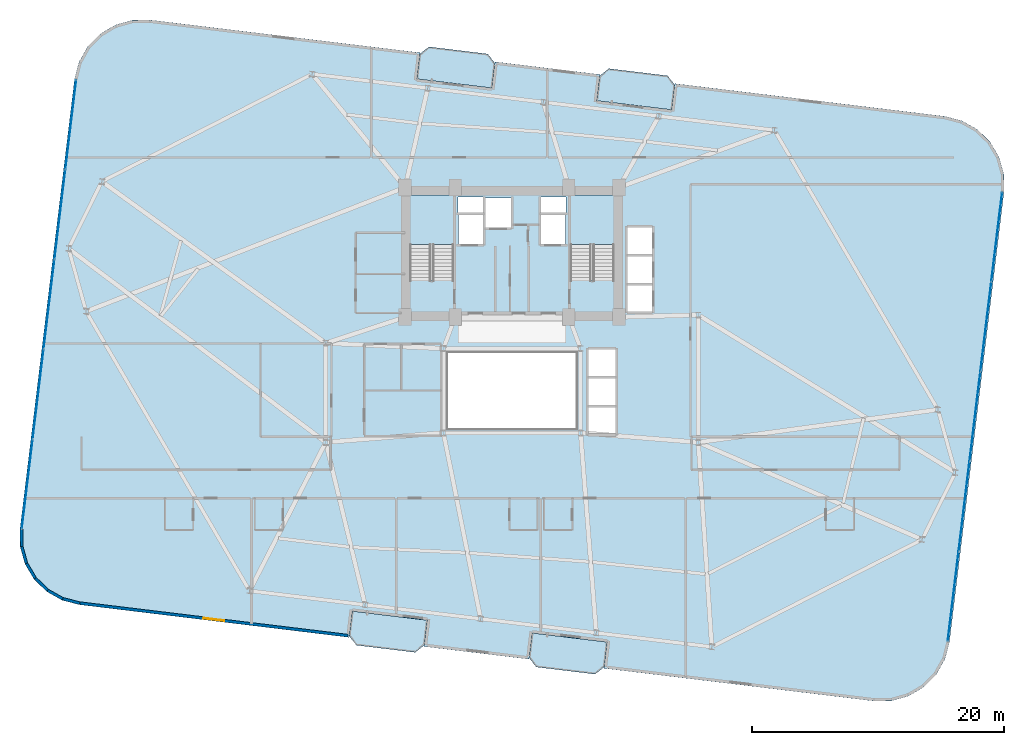
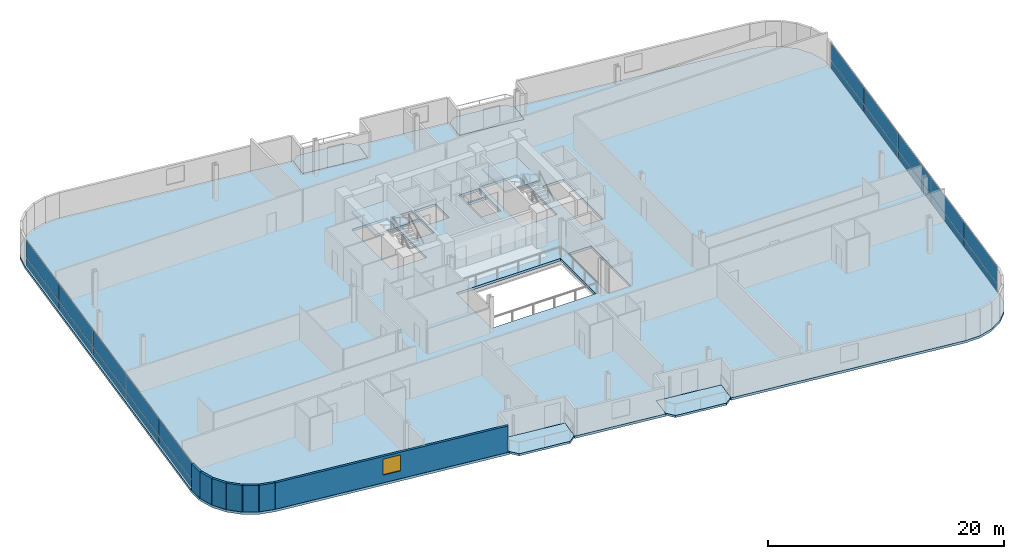
# One storey, part 19 of 25: 20 plates, 7 slabs, 7 walls, 1 window, 1 opening, 4 elements without a shape of their own.
"""IFC4 building model written with IfcOpenShell, lengths in metres."""

from ifc_helpers import new_model, si_unit, direction, frame, frame_2d, origin, origin_2d, place, context, subcontext, project, spatial, polyline, rectangle, outline, extrude, source, transform, mapped, material, layer, layer_set, type_object, element, fill, aggregate, save


model = new_model("IFC4")

# Units and contexts
model_context = context("Model", 3, precision=1e-05, world=origin(), true_north=direction((0.0, 1.0)))
body_context = subcontext(model_context, "Body", "Model", "MODEL_VIEW")
ifc_project = project(units=[si_unit("LENGTHUNIT", "METRE"), si_unit("AREAUNIT", "SQUARE_METRE"), si_unit("VOLUMEUNIT", "CUBIC_METRE"), si_unit("PLANEANGLEUNIT", "RADIAN"), si_unit("MASSUNIT", "GRAM", prefix="KILO")], contexts=[model_context])

# Site, building, storey
site_placement = place(None, origin())
site = spatial("IfcSite", under=ifc_project, at=site_placement, CompositionType="ELEMENT")
building_placement = place(site_placement, origin())
building = spatial("IfcBuilding", under=site, at=building_placement, Name="Varnelok Gate Tower", CompositionType="ELEMENT")
storey_placement = place(building_placement, frame((0.0, 0.0, 140.199951171875)))
storey = spatial("IfcBuildingStorey", under=building, at=storey_placement, Name="L35", CompositionType="ELEMENT", Elevation=140.199951171875)

# Slabs
ifc_material_1 = material(Name="Concrete C45/55", Category="concrete")
ifc_layer_1 = layer(ifc_material_1, 0.219970703125)
ifc_layer_set_1 = layer_set([ifc_layer_1], Name="Concrete C45/55")
slab_type_1 = type_object("IfcSlabType", Name="SLB-BALC-220", PredefinedType="FLOOR", material=ifc_layer_set_1)
slab_1_placement = place(storey_placement, frame((0.0, 0.0, -0.219970703125)))
element("IfcSlab", 1, at=slab_1_placement, inside=storey, type_object=slab_type_1, Name="L35 South Hollow Balcony 1", PredefinedType="FLOOR", context=body_context, shape_type="SweptSolid", body=[
    extrude(outline(polyline([(26.27001953125, 3.39697265625), (26.837158203125, 2.67333984375), (31.5029296875, 2.107666015625), (32.2265625, 2.6748046875), (32.46728515625, 4.660400390625), (26.5107421875, 5.38232421875), (26.27001953125, 3.39697265625)])), origin(), (0.0, 0.0, 1.0), 0.219970703125),
])
slab_2_placement = place(storey_placement, frame((0.0, 0.0, -0.219970703125)))
element("IfcSlab", 2, at=slab_2_placement, inside=storey, type_object=slab_type_1, Name="L35 South Hollow Balcony 2", PredefinedType="FLOOR", context=body_context, shape_type="SweptSolid", body=[
    extrude(outline(polyline([(40.5654296875, 1.663818359375), (41.132568359375, 0.9404296875), (45.79833984375, 0.374755859375), (46.521728515625, 0.94189453125), (46.762451171875, 2.92724609375), (40.80615234375, 3.6494140625), (40.5654296875, 1.663818359375)])), origin(), (0.0, 0.0, 1.0), 0.219970703125),
])
slab_3_placement = place(storey_placement, frame((0.0, 0.0, -0.219970703125)))
element("IfcSlab", 3, at=slab_3_placement, inside=storey, type_object=slab_type_1, Name="L35 North Hollow Balcony 1", PredefinedType="FLOOR", context=body_context, shape_type="SweptSolid", body=[
    extrude(outline(polyline([(31.637451171875, 47.672607421875), (37.593994140625, 46.95068359375), (37.834716796875, 48.93603515625), (37.267578125, 49.65966796875), (32.601806640625, 50.22509765625), (31.878173828125, 49.658203125), (31.637451171875, 47.672607421875)])), origin(), (0.0, 0.0, 1.0), 0.219970703125),
])
slab_4_placement = place(storey_placement, frame((0.0, 0.0, -0.219970703125)))
element("IfcSlab", 4, at=slab_4_placement, inside=storey, type_object=slab_type_1, Name="L35 North Hollow Balcony 2", PredefinedType="FLOOR", context=body_context, shape_type="SweptSolid", body=[
    extrude(outline(polyline([(45.932861328125, 45.939697265625), (51.88916015625, 45.2177734375), (52.1298828125, 47.203125), (51.562744140625, 47.926513671875), (46.89697265625, 48.4921875), (46.173583984375, 47.92529296875), (45.932861328125, 45.939697265625)])), origin(), (0.0, 0.0, 1.0), 0.219970703125),
])

# Stair, slab
ifc_material_2 = material(Name="Concrete C50/60", Category="concrete")
stair_type = type_object("IfcStairType", Name="STR-CORE-1650", PredefinedType="HALF_TURN_STAIR", material=ifc_material_2)
stair_1_placement = place(storey_placement, origin())
stair_1 = element("IfcStair", 5, at=stair_1_placement, inside=storey, type_object=stair_type, Name="L35 Exit Stair ST-1", PredefinedType="HALF_TURN_STAIR")
ifc_layer_2 = layer(ifc_material_1, 0.199951171875)
ifc_layer_set_2 = layer_set([ifc_layer_2], Name="Concrete C45/55")
slab_type_2 = type_object("IfcSlabType", Name="SLB-LAND-200", PredefinedType="LANDING", material=ifc_layer_set_2)
slab_5_placement = place(storey_placement, frame((0.0, 0.0, 1.650146484375)))
slab_5 = element("IfcSlab", 6, at=slab_5_placement, type_object=slab_type_2, Name="ST-1 landing 1", PredefinedType="LANDING", context=body_context, shape_type="SweptSolid", body=[
    extrude(outline(polyline([(34.550048828125, 34.5), (34.550048828125, 38.449951171875), (31.10009765625, 38.449951171875), (31.10009765625, 34.5), (34.550048828125, 34.5)])), origin(), (0.0, 0.0, 1.0), 0.199951171875),
])
aggregate(stair_1, [slab_5])

stair_2_placement = place(storey_placement, origin())
stair_2 = element("IfcStair", 7, at=stair_2_placement, inside=storey, type_object=stair_type, Name="L35 Exit Stair ST-2", PredefinedType="HALF_TURN_STAIR")
slab_6_placement = place(storey_placement, frame((0.0, 0.0, 1.650146484375)))
slab_6 = element("IfcSlab", 8, at=slab_6_placement, type_object=slab_type_2, Name="ST-2 landing 1", PredefinedType="LANDING", context=body_context, shape_type="SweptSolid", body=[
    extrude(outline(polyline([(47.300048828125, 34.5), (47.300048828125, 38.449951171875), (43.85009765625, 38.449951171875), (43.85009765625, 34.5), (47.300048828125, 34.5)])), origin(), (0.0, 0.0, 1.0), 0.199951171875),
])
aggregate(stair_2, [slab_6])

# Slab
ifc_layer_3 = layer(ifc_material_2, 0.25)
ifc_layer_set_3 = layer_set([ifc_layer_3], Name="Concrete C50/60")
slab_type_3 = type_object("IfcSlabType", Name="SLB-TYP-250", PredefinedType="FLOOR", material=ifc_layer_set_3)
slab_7_placement = place(storey_placement, frame((0.0, 0.0, -0.25)))
element("IfcSlab", 9, at=slab_7_placement, inside=storey, type_object=slab_type_3, Name="L35 Structural Floor Slab", PredefinedType="FLOOR", context=body_context, shape_type="SweptSolid", body=[
    extrude(outline(polyline([(0.104248046875, 11.90771484375), (0.11865234375, 10.498046875), (0.49755859375, 9.14013671875), (1.214599609375, 7.9267578125), (2.2216796875, 6.940185546875), (3.44970703125, 6.247802734375), (4.81494140625, 5.89697265625), (16.529296875, 4.47705078125), (26.258056640625, 3.297607421875), (26.5107421875, 5.38232421875), (32.46728515625, 4.660400390625), (32.214599609375, 2.575439453125), (40.553466796875, 1.564697265625), (40.80615234375, 3.6494140625), (46.762451171875, 2.92724609375), (46.509765625, 0.842529296875), (56.238525390625, -0.3369140625), (67.952880859375, -1.7568359375), (69.3623046875, -1.742431640625), (70.72021484375, -1.363525390625), (71.933837890625, -0.646240234375), (72.92041015625, 0.360595703125), (73.612548828125, 1.588623046875), (73.96337890625, 2.9541015625), (78.2958984375, 38.6923828125), (78.281494140625, 40.101806640625), (77.902587890625, 41.459716796875), (77.185302734375, 42.67333984375), (76.17822265625, 43.659912109375), (74.9501953125, 44.35205078125), (73.5849609375, 44.702880859375), (61.87060546875, 46.123046875), (52.141845703125, 47.302490234375), (51.88916015625, 45.2177734375), (45.932861328125, 45.939697265625), (46.185546875, 48.0244140625), (37.8466796875, 49.035400390625), (37.593994140625, 46.95068359375), (31.637451171875, 47.672607421875), (31.89013671875, 49.75732421875), (22.161376953125, 50.936767578125), (10.447265625, 52.35693359375), (9.03759765625, 52.34228515625), (7.6796875, 51.963623046875), (6.46630859375, 51.246337890625), (5.479736328125, 50.2392578125), (4.787353515625, 49.01123046875), (4.4365234375, 47.64599609375), (0.104248046875, 11.90771484375)]), holes=[polyline([(34.550048828125, 31.679931640625), (34.550048828125, 38.449951171875), (31.10009765625, 38.449951171875), (31.10009765625, 31.679931640625), (34.550048828125, 31.679931640625)]), polyline([(47.300048828125, 31.679931640625), (47.300048828125, 38.449951171875), (43.85009765625, 38.449951171875), (43.85009765625, 31.679931640625), (47.300048828125, 31.679931640625)]), polyline([(34.949951171875, 34.550048828125), (36.89990234375, 34.550048828125), (36.89990234375, 36.89990234375), (34.949951171875, 36.89990234375), (34.949951171875, 34.550048828125)]), polyline([(41.5, 34.550048828125), (43.449951171875, 34.550048828125), (43.449951171875, 36.89990234375), (41.5, 36.89990234375), (41.5, 34.550048828125)]), polyline([(37.050048828125, 35.85009765625), (39.14990234375, 35.85009765625), (39.14990234375, 38.199951171875), (37.050048828125, 38.199951171875), (37.050048828125, 35.85009765625)]), polyline([(48.35009765625, 29.14990234375), (50.35009765625, 29.14990234375), (50.35009765625, 35.89990234375), (48.35009765625, 35.89990234375), (48.35009765625, 29.14990234375)]), polyline([(45.25, 19.449951171875), (47.449951171875, 19.449951171875), (47.449951171875, 26.199951171875), (45.25, 26.199951171875), (45.25, 19.449951171875)]), polyline([(34.919921875, 37.080078125), (36.89990234375, 37.080078125), (36.89990234375, 38.280029296875), (34.919921875, 38.280029296875), (34.919921875, 37.080078125)]), polyline([(41.5, 37.080078125), (43.47998046875, 37.080078125), (43.47998046875, 38.280029296875), (41.5, 38.280029296875), (41.5, 37.080078125)]), polyline([(34.10009765625, 19.89990234375), (44.300048828125, 19.89990234375), (44.300048828125, 25.89990234375), (34.10009765625, 25.89990234375), (34.10009765625, 19.89990234375)])]), origin(), (0.0, 0.0, 1.0), 0.25),
])

# Curtain wall, plates
ifc_material_3 = material(Name="Anodized Aluminum Alloy 6063-T6", Category="aluminium")
ifc_layer_4 = layer(ifc_material_3, 0.179931640625)
ifc_layer_set_4 = layer_set([ifc_layer_4], Name="Anodized Aluminum Alloy 6063-T6")
curtain_wall_type = type_object("IfcCurtainWallType", Name="CW3-HOTEL-VISION", PredefinedType="USERDEFINED", material=ifc_layer_set_4)
curtain_wall_1_placement = place(storey_placement, origin())
curtain_wall_1 = element("IfcCurtainWall", 10, at=curtain_wall_1_placement, inside=storey, type_object=curtain_wall_type, Name="L35 West End Vision Curtain Wall", ObjectType="UNITISED CURTAIN WALL", PredefinedType="USERDEFINED")
ifc_material_4 = material(Name="Low-E Laminated Double Glazing IGU", Category="glass")
ifc_layer_5 = layer(ifc_material_4, 0.031982421875)
ifc_layer_set_5 = layer_set([ifc_layer_5], Name="Low-E Laminated Double Glazing IGU")
plate_type = type_object("IfcPlateType", Name="CW-PNL-IGU32", PredefinedType="CURTAIN_PANEL", material=ifc_layer_set_5)
shared_shape_1 = source(origin(), body_context, "Body", "SweptSolid", [
    extrude(rectangle(XDim=7.1025390625, YDim=0.031982421875, at=origin_2d()), origin(), (0.0, 0.0, 1.0), 0.802490234375),
])
plate_1_placement = place(storey_placement, frame((0.67822265625, 15.480712890625, 0.06494140625), z_axis=(0.0, 0.0, 1.0), x_axis=(0.120347046212, 0.99273188146, 0.0)))
plate_1 = element("IfcPlate", 11, at=plate_1_placement, type_object=plate_type, Name="CW3 panel 1.1", PredefinedType="CURTAIN_PANEL", context=body_context, shape_type="MappedRepresentation", body=[
    mapped(shared_shape_1, transform((0.0, 0.0, 0.0), scale=1.0)),
])
plate_2_placement = place(storey_placement, frame((4.140380859375, 44.039306640625, 0.06494140625), z_axis=(0.0, 0.0, 1.0), x_axis=(0.120347046212, 0.99273188146, 0.0)))
plate_2 = element("IfcPlate", 12, at=plate_2_placement, type_object=plate_type, Name="CW3 panel 5.1", PredefinedType="CURTAIN_PANEL", context=body_context, shape_type="MappedRepresentation", body=[
    mapped(shared_shape_1, transform((0.0, 0.0, 0.0), scale=1.0)),
])

curtain_wall_2_placement = place(storey_placement, origin())
curtain_wall_2 = element("IfcCurtainWall", 13, at=curtain_wall_2_placement, inside=storey, type_object=curtain_wall_type, Name="L35 East End Vision Curtain Wall", ObjectType="UNITISED CURTAIN WALL", PredefinedType="USERDEFINED")
plate_3_placement = place(storey_placement, frame((77.7216796875, 35.119140625, 0.06494140625), z_axis=(0.0, 0.0, 1.0), x_axis=(-0.120347046212, -0.99273188146, 0.0)))
plate_3 = element("IfcPlate", 14, at=plate_3_placement, type_object=plate_type, Name="CW3 panel 1.1", PredefinedType="CURTAIN_PANEL", context=body_context, shape_type="MappedRepresentation", body=[
    mapped(shared_shape_1, transform((0.0, 0.0, 0.0), scale=1.0)),
])
plate_4_placement = place(storey_placement, frame((74.259521484375, 6.560791015625, 0.06494140625), z_axis=(0.0, 0.0, 1.0), x_axis=(-0.120347046212, -0.99273188146, 0.0)))
plate_4 = element("IfcPlate", 15, at=plate_4_placement, type_object=plate_type, Name="CW3 panel 5.1", PredefinedType="CURTAIN_PANEL", context=body_context, shape_type="MappedRepresentation", body=[
    mapped(shared_shape_1, transform((0.0, 0.0, 0.0), scale=1.0)),
])

# Plate
shared_shape_2 = source(origin(), body_context, "Body", "SweptSolid", [
    extrude(rectangle(XDim=7.1025390625, YDim=0.031982421875, at=origin_2d()), origin(), (0.0, 0.0, 1.0), 1.732421875),
])
plate_5_placement = place(storey_placement, frame((0.67822265625, 15.480712890625, 0.9326171875), z_axis=(0.0, 0.0, 1.0), x_axis=(0.120347046212, 0.99273188146, 0.0)))
plate_5 = element("IfcPlate", 16, at=plate_5_placement, type_object=plate_type, Name="CW3 panel 1.2", PredefinedType="CURTAIN_PANEL", context=body_context, shape_type="MappedRepresentation", body=[
    mapped(shared_shape_2, transform((0.0, 0.0, 0.0), scale=1.0)),
])

plate_6_placement = place(storey_placement, frame((4.140380859375, 44.039306640625, 0.9326171875), z_axis=(0.0, 0.0, 1.0), x_axis=(0.120347046212, 0.99273188146, 0.0)))
plate_6 = element("IfcPlate", 17, at=plate_6_placement, type_object=plate_type, Name="CW3 panel 5.2", PredefinedType="CURTAIN_PANEL", context=body_context, shape_type="MappedRepresentation", body=[
    mapped(shared_shape_2, transform((0.0, 0.0, 0.0), scale=1.0)),
])

plate_7_placement = place(storey_placement, frame((77.7216796875, 35.119140625, 0.9326171875), z_axis=(0.0, 0.0, 1.0), x_axis=(-0.120347046212, -0.99273188146, 0.0)))
plate_7 = element("IfcPlate", 18, at=plate_7_placement, type_object=plate_type, Name="CW3 panel 1.2", PredefinedType="CURTAIN_PANEL", context=body_context, shape_type="MappedRepresentation", body=[
    mapped(shared_shape_2, transform((0.0, 0.0, 0.0), scale=1.0)),
])

plate_8_placement = place(storey_placement, frame((74.259521484375, 6.560791015625, 0.9326171875), z_axis=(0.0, 0.0, 1.0), x_axis=(-0.120347046212, -0.99273188146, 0.0)))
plate_8 = element("IfcPlate", 19, at=plate_8_placement, type_object=plate_type, Name="CW3 panel 5.2", PredefinedType="CURTAIN_PANEL", context=body_context, shape_type="MappedRepresentation", body=[
    mapped(shared_shape_2, transform((0.0, 0.0, 0.0), scale=1.0)),
])

shared_shape_3 = source(origin(), body_context, "Body", "SweptSolid", [
    extrude(rectangle(XDim=7.135009765625, YDim=0.031982421875, at=origin_2d()), origin(), (0.0, 0.0, 1.0), 0.802490234375),
])
plate_9_placement = place(storey_placement, frame((1.54296875, 22.6123046875, 0.06494140625), z_axis=(0.0, 0.0, 1.0), x_axis=(0.120347046212, 0.99273188146, 0.0)))
plate_9 = element("IfcPlate", 20, at=plate_9_placement, type_object=plate_type, Name="CW3 panel 2.1", PredefinedType="CURTAIN_PANEL", context=body_context, shape_type="MappedRepresentation", body=[
    mapped(shared_shape_3, transform((0.0, 0.0, 0.0), scale=1.0)),
])

plate_10_placement = place(storey_placement, frame((2.409423828125, 29.760009765625, 0.06494140625), z_axis=(0.0, 0.0, 1.0), x_axis=(0.120347046212, 0.99273188146, 0.0)))
plate_10 = element("IfcPlate", 21, at=plate_10_placement, type_object=plate_type, Name="CW3 panel 3.1", PredefinedType="CURTAIN_PANEL", context=body_context, shape_type="MappedRepresentation", body=[
    mapped(shared_shape_3, transform((0.0, 0.0, 0.0), scale=1.0)),
])

plate_11_placement = place(storey_placement, frame((3.27587890625, 36.90771484375, 0.06494140625), z_axis=(0.0, 0.0, 1.0), x_axis=(0.120347046212, 0.99273188146, 0.0)))
plate_11 = element("IfcPlate", 22, at=plate_11_placement, type_object=plate_type, Name="CW3 panel 4.1", PredefinedType="CURTAIN_PANEL", context=body_context, shape_type="MappedRepresentation", body=[
    mapped(shared_shape_3, transform((0.0, 0.0, 0.0), scale=1.0)),
])

plate_12_placement = place(storey_placement, frame((76.857177734375, 27.98779296875, 0.06494140625), z_axis=(0.0, 0.0, 1.0), x_axis=(-0.120347046212, -0.99273188146, 0.0)))
plate_12 = element("IfcPlate", 23, at=plate_12_placement, type_object=plate_type, Name="CW3 panel 2.1", PredefinedType="CURTAIN_PANEL", context=body_context, shape_type="MappedRepresentation", body=[
    mapped(shared_shape_3, transform((0.0, 0.0, 0.0), scale=1.0)),
])

plate_13_placement = place(storey_placement, frame((75.99072265625, 20.840087890625, 0.06494140625), z_axis=(0.0, 0.0, 1.0), x_axis=(-0.120347046212, -0.99273188146, 0.0)))
plate_13 = element("IfcPlate", 24, at=plate_13_placement, type_object=plate_type, Name="CW3 panel 3.1", PredefinedType="CURTAIN_PANEL", context=body_context, shape_type="MappedRepresentation", body=[
    mapped(shared_shape_3, transform((0.0, 0.0, 0.0), scale=1.0)),
])

plate_14_placement = place(storey_placement, frame((75.124267578125, 13.6923828125, 0.06494140625), z_axis=(0.0, 0.0, 1.0), x_axis=(-0.120347046212, -0.99273188146, 0.0)))
plate_14 = element("IfcPlate", 25, at=plate_14_placement, type_object=plate_type, Name="CW3 panel 4.1", PredefinedType="CURTAIN_PANEL", context=body_context, shape_type="MappedRepresentation", body=[
    mapped(shared_shape_3, transform((0.0, 0.0, 0.0), scale=1.0)),
])

shared_shape_4 = source(origin(), body_context, "Body", "SweptSolid", [
    extrude(rectangle(XDim=7.135009765625, YDim=0.031982421875, at=origin_2d()), origin(), (0.0, 0.0, 1.0), 1.732421875),
])
plate_15_placement = place(storey_placement, frame((1.54296875, 22.6123046875, 0.9326171875), z_axis=(0.0, 0.0, 1.0), x_axis=(0.120347046212, 0.99273188146, 0.0)))
plate_15 = element("IfcPlate", 26, at=plate_15_placement, type_object=plate_type, Name="CW3 panel 2.2", PredefinedType="CURTAIN_PANEL", context=body_context, shape_type="MappedRepresentation", body=[
    mapped(shared_shape_4, transform((0.0, 0.0, 0.0), scale=1.0)),
])

plate_16_placement = place(storey_placement, frame((2.409423828125, 29.760009765625, 0.9326171875), z_axis=(0.0, 0.0, 1.0), x_axis=(0.120347046212, 0.99273188146, 0.0)))
plate_16 = element("IfcPlate", 27, at=plate_16_placement, type_object=plate_type, Name="CW3 panel 3.2", PredefinedType="CURTAIN_PANEL", context=body_context, shape_type="MappedRepresentation", body=[
    mapped(shared_shape_4, transform((0.0, 0.0, 0.0), scale=1.0)),
])

plate_17_placement = place(storey_placement, frame((3.27587890625, 36.90771484375, 0.9326171875), z_axis=(0.0, 0.0, 1.0), x_axis=(0.120347046212, 0.99273188146, 0.0)))
plate_17 = element("IfcPlate", 28, at=plate_17_placement, type_object=plate_type, Name="CW3 panel 4.2", PredefinedType="CURTAIN_PANEL", context=body_context, shape_type="MappedRepresentation", body=[
    mapped(shared_shape_4, transform((0.0, 0.0, 0.0), scale=1.0)),
])

aggregate(curtain_wall_1, [plate_1, plate_5, plate_9, plate_15, plate_10, plate_16, plate_11, plate_17, plate_2, plate_6])

plate_18_placement = place(storey_placement, frame((76.857177734375, 27.98779296875, 0.9326171875), z_axis=(0.0, 0.0, 1.0), x_axis=(-0.120347046212, -0.99273188146, 0.0)))
plate_18 = element("IfcPlate", 29, at=plate_18_placement, type_object=plate_type, Name="CW3 panel 2.2", PredefinedType="CURTAIN_PANEL", context=body_context, shape_type="MappedRepresentation", body=[
    mapped(shared_shape_4, transform((0.0, 0.0, 0.0), scale=1.0)),
])

plate_19_placement = place(storey_placement, frame((75.99072265625, 20.840087890625, 0.9326171875), z_axis=(0.0, 0.0, 1.0), x_axis=(-0.120347046212, -0.99273188146, 0.0)))
plate_19 = element("IfcPlate", 30, at=plate_19_placement, type_object=plate_type, Name="CW3 panel 3.2", PredefinedType="CURTAIN_PANEL", context=body_context, shape_type="MappedRepresentation", body=[
    mapped(shared_shape_4, transform((0.0, 0.0, 0.0), scale=1.0)),
])

plate_20_placement = place(storey_placement, frame((75.124267578125, 13.6923828125, 0.9326171875), z_axis=(0.0, 0.0, 1.0), x_axis=(-0.120347046212, -0.99273188146, 0.0)))
plate_20 = element("IfcPlate", 31, at=plate_20_placement, type_object=plate_type, Name="CW3 panel 4.2", PredefinedType="CURTAIN_PANEL", context=body_context, shape_type="MappedRepresentation", body=[
    mapped(shared_shape_4, transform((0.0, 0.0, 0.0), scale=1.0)),
])

aggregate(curtain_wall_2, [plate_3, plate_7, plate_12, plate_18, plate_13, plate_19, plate_14, plate_20, plate_4, plate_8])

# Walls
ifc_layer_6 = layer(ifc_material_1, 0.219970703125)
ifc_layer_set_6 = layer_set([ifc_layer_6], Name="Concrete C45/55")
wall_type = type_object("IfcWallType", Name="EW-BALC-220", PredefinedType="SOLIDWALL", material=ifc_layer_set_6)
wall_1_placement = place(storey_placement, frame((0.224365234375, 11.89306640625, 0.0), z_axis=(0.0, 0.0, 1.0), x_axis=(0.010098705419, -0.999949006774, 0.0)))
element("IfcWall", 32, at=wall_1_placement, inside=storey, type_object=wall_type, Name="L35 Perimeter Facade Closure Wall 1", PredefinedType="SOLIDWALL", context=body_context, shape_type="SweptSolid", body=[
    extrude(rectangle(XDim=1.3779296875, YDim=0.219970703125, at=frame_2d((0.68896484375, 0.0))), origin(), (0.0, 0.0, 1.0), 2.72998046875),
])
wall_2_placement = place(storey_placement, frame((0.2451171875, 10.490966796875, 0.0), z_axis=(0.0, 0.0, 1.0), x_axis=(0.268853470153, -0.963181089716, 0.0)))
element("IfcWall", 33, at=wall_2_placement, inside=storey, type_object=wall_type, Name="L35 Perimeter Facade Closure Wall 2", PredefinedType="SOLIDWALL", context=body_context, shape_type="SweptSolid", body=[
    extrude(rectangle(XDim=1.35302734375, YDim=0.219970703125, at=frame_2d((0.676513671875, 0.0))), origin(), (0.0, 0.0, 1.0), 2.72998046875),
])
wall_3_placement = place(storey_placement, frame((0.62158203125, 9.166015625, 0.0), z_axis=(0.0, 0.0, 1.0), x_axis=(0.508911700393, -0.860818727261, 0.0)))
element("IfcWall", 34, at=wall_3_placement, inside=storey, type_object=wall_type, Name="L35 Perimeter Facade Closure Wall 3", PredefinedType="SOLIDWALL", context=body_context, shape_type="SweptSolid", body=[
    extrude(rectangle(XDim=1.352783203125, YDim=0.219970703125, at=frame_2d((0.67626953125, 0.0))), origin(), (0.0, 0.0, 1.0), 2.72998046875),
])
wall_4_placement = place(storey_placement, frame((1.327880859375, 7.98388671875, 0.0), z_axis=(0.0, 0.0, 1.0), x_axis=(0.714376989847, -0.69976104234, 0.0)))
element("IfcWall", 35, at=wall_4_placement, inside=storey, type_object=wall_type, Name="L35 Perimeter Facade Closure Wall 4", PredefinedType="SOLIDWALL", context=body_context, shape_type="SweptSolid", body=[
    extrude(rectangle(XDim=1.35302734375, YDim=0.219970703125, at=frame_2d((0.676513671875, 0.0))), origin(), (0.0, 0.0, 1.0), 2.72998046875),
])
wall_5_placement = place(storey_placement, frame((2.316162109375, 7.024658203125, 0.0), z_axis=(0.0, 0.0, 1.0), x_axis=(0.87113677592, -0.491040443996, 0.0)))
element("IfcWall", 36, at=wall_5_placement, inside=storey, type_object=wall_type, Name="L35 Perimeter Facade Closure Wall 5", PredefinedType="SOLIDWALL", context=body_context, shape_type="SweptSolid", body=[
    extrude(rectangle(XDim=1.353271484375, YDim=0.219970703125, at=frame_2d((0.6767578125, 0.0))), origin(), (0.0, 0.0, 1.0), 2.72998046875),
])
wall_6_placement = place(storey_placement, frame((3.519287109375, 6.35400390625, 0.0), z_axis=(0.0, 0.0, 1.0), x_axis=(0.968506529347, -0.248988157573, 0.0)))
element("IfcWall", 37, at=wall_6_placement, inside=storey, type_object=wall_type, Name="L35 Perimeter Facade Closure Wall 6", PredefinedType="SOLIDWALL", context=body_context, shape_type="SweptSolid", body=[
    extrude(rectangle(XDim=1.361083984375, YDim=0.219970703125, at=frame_2d((0.6806640625, 0.0))), origin(), (0.0, 0.0, 1.0), 2.72998046875),
])

# Wall, opening, window
wall_7_placement = place(storey_placement, frame((4.862060546875, 6.01220703125, 0.0), z_axis=(0.0, 0.0, 1.0), x_axis=(0.99273213367, -0.120344965739, 0.0)))
wall_7 = element("IfcWall", 38, at=wall_7_placement, inside=storey, type_object=wall_type, Name="L35 Perimeter Facade Closure Wall 7", PredefinedType="SOLIDWALL", context=body_context, shape_type="SweptSolid", body=[
    extrude(rectangle(XDim=21.447021484375, YDim=0.219970703125, at=frame_2d((10.7236328125, 0.0))), origin(), (0.0, 0.0, 1.0), 2.72998046875),
])
opening_placement = place(wall_7_placement, frame((9.898681640625, 0.0, 0.800048828125)))
opening = element("IfcOpeningElement", 39, at=opening_placement, cuts=wall_7, Name="Opening WN3", PredefinedType="OPENING", context=body_context, shape_type="SweptSolid", body=[
    extrude(rectangle(XDim=1.64990234375, YDim=1.64990234375, at=frame_2d((0.824951171875, 0.824951171875))), frame((0.0, 0.119873046875, 0.0), z_axis=(0.0, -1.0, 0.0), x_axis=(1.0, 0.0, 0.0)), (0.0, 0.0, 1.0), 0.239990234375),
])
window_type = type_object("IfcWindowType", Name="WN-HTL-1650", PartitioningType="SINGLE_PANEL", PredefinedType="WINDOW", material=ifc_material_4)
window_placement = place(opening_placement, origin())
window = element("IfcWindow", 40, at=window_placement, inside=storey, type_object=window_type, Name="L35 Perimeter Vision Window 7", OverallHeight=1.64990234375, OverallWidth=1.64990234375, PartitioningType="SINGLE_PANEL", PredefinedType="WINDOW", context=body_context, shape_type="SweptSolid", body=[
    extrude(rectangle(XDim=1.64990234375, YDim=1.64990234375, at=frame_2d((0.824951171875, 0.824951171875))), frame((0.0, 0.030029296875, 0.0), z_axis=(0.0, -1.0, 0.0), x_axis=(1.0, 0.0, 0.0)), (0.0, 0.0, 1.0), 0.06005859375),
])
fill(opening, window)

save(model, "model.ifc")
